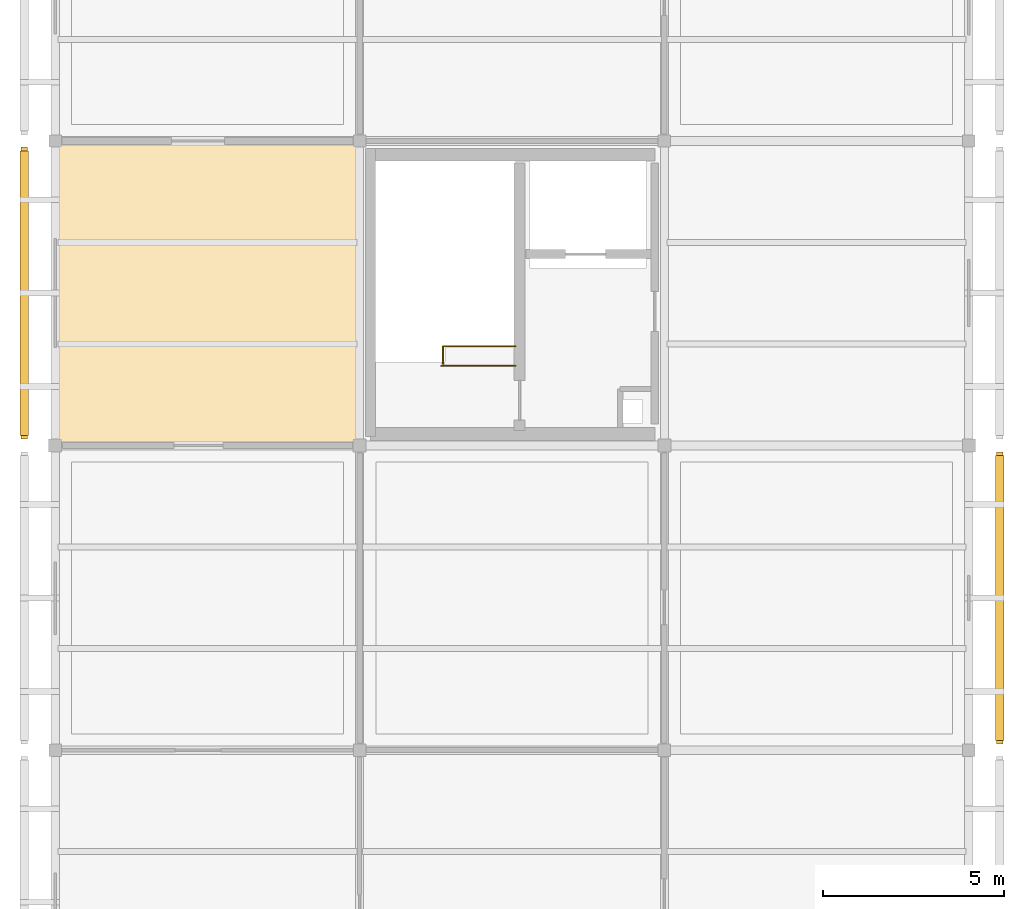
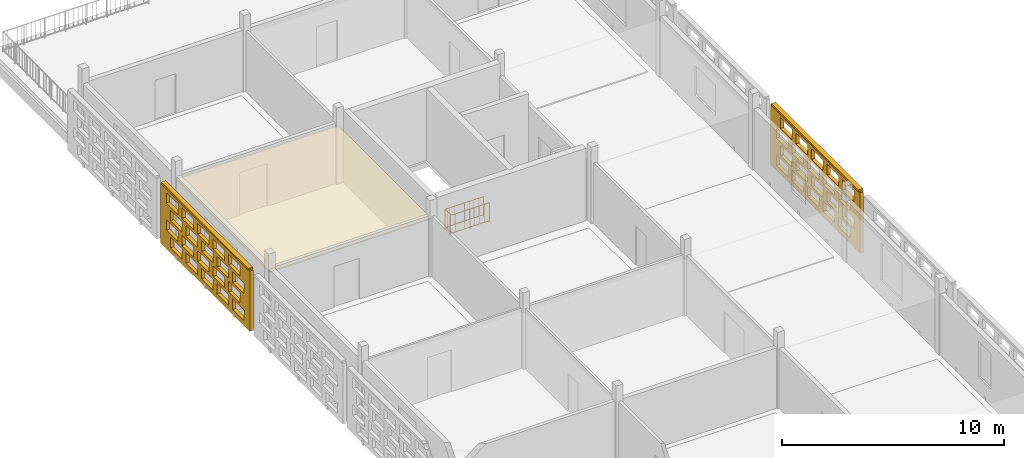
# One storey, part 10 of 13: 3 coverings, 2 railings, 2 shading devices, 40 openings.
"""IFC4 building model written with IfcOpenShell, lengths in metres."""

from ifc_helpers import new_model, si_unit, direction, frame, frame_2d, origin, origin_2d, place, context, subcontext, project, spatial, rectangle, circle, extrude, material, layer, layer_set, type_object, element, save


model = new_model("IFC4")

# Units and contexts
model_context = context("Model", 3, precision=1e-05, world=origin(), true_north=direction((0.0, 1.0)))
body_context = subcontext(model_context, "Body", "Model", "MODEL_VIEW")
ifc_project = project(units=[si_unit("LENGTHUNIT", "METRE"), si_unit("AREAUNIT", "SQUARE_METRE"), si_unit("VOLUMEUNIT", "CUBIC_METRE"), si_unit("PLANEANGLEUNIT", "RADIAN"), si_unit("MASSUNIT", "GRAM", prefix="KILO")], contexts=[model_context])

# Site, building, storey
site_placement = place(None, origin())
site = spatial("IfcSite", under=ifc_project, at=site_placement, CompositionType="ELEMENT")
building_placement = place(site_placement, origin())
building = spatial("IfcBuilding", under=site, at=building_placement, Name="Varnapada Polytechnic", CompositionType="ELEMENT")
storey_placement = place(building_placement, frame((0.0, 0.0, 26.39990234375)))
storey = spatial("IfcBuildingStorey", under=building, at=storey_placement, Name="L06", CompositionType="ELEMENT", Elevation=26.39990234375)

# Railings
ifc_material_1 = material(Name="Brushed Stainless Steel 316", Category="steel")
railing_type = type_object("IfcRailingType", Name="Stair Well Guard Rail SGR-01", PredefinedType="BALUSTRADE", material=ifc_material_1)
railing_1_placement = place(storey_placement, frame((12.699951171875, 103.0, 0.0)))
element("IfcRailing", 1, at=railing_1_placement, inside=storey, type_object=railing_type, Name="L06 ST-1 top well guard 1", PredefinedType="BALUSTRADE", context=body_context, shape_type="SweptSolid", body=[
    extrude(circle(Radius=0.02392578125, at=origin_2d()), frame((0.0, 0.0, 1.09619140625), z_axis=(-1.0, 0.0, 0.0), x_axis=(0.0, -1.0, 0.0)), (0.0, 0.0, 1.0), 2.050048828125),
    extrude(circle(Radius=0.02392578125, at=origin_2d()), frame((0.0, 0.0, 0.10009765625), z_axis=(-1.0, 0.0, 0.0), x_axis=(0.0, -1.0, 0.0)), (0.0, 0.0, 1.0), 2.050048828125),
    extrude(circle(Radius=0.02099609375, at=origin_2d()), origin(), (0.0, 0.0, 1.0), 1.072021484375),
    extrude(circle(Radius=0.02099609375, at=origin_2d()), frame((-1.02490234375, 0.0, 0.0)), (0.0, 0.0, 1.0), 1.072021484375),
    extrude(circle(Radius=0.02099609375, at=origin_2d()), frame((-2.050048828125, 0.0, 0.0)), (0.0, 0.0, 1.0), 1.072021484375),
    extrude(circle(Radius=0.010009765625, at=origin_2d()), frame((-0.25634765625, 0.0, 0.10009765625)), (0.0, 0.0, 1.0), 0.971923828125),
    extrude(circle(Radius=0.010009765625, at=origin_2d()), frame((-0.512451171875, 0.0, 0.10009765625)), (0.0, 0.0, 1.0), 0.971923828125),
    extrude(circle(Radius=0.010009765625, at=origin_2d()), frame((-0.768798828125, 0.0, 0.10009765625)), (0.0, 0.0, 1.0), 0.971923828125),
    extrude(circle(Radius=0.010009765625, at=origin_2d()), frame((-1.02490234375, 0.0, 0.10009765625)), (0.0, 0.0, 1.0), 0.971923828125),
    extrude(circle(Radius=0.010009765625, at=origin_2d()), frame((-1.28125, 0.0, 0.10009765625)), (0.0, 0.0, 1.0), 0.971923828125),
    extrude(circle(Radius=0.010009765625, at=origin_2d()), frame((-1.53759765625, 0.0, 0.10009765625)), (0.0, 0.0, 1.0), 0.971923828125),
    extrude(circle(Radius=0.010009765625, at=origin_2d()), frame((-1.793701171875, 0.0, 0.10009765625)), (0.0, 0.0, 1.0), 0.971923828125),
])
railing_2_placement = place(storey_placement, frame((10.699951171875, 103.050048828125, 0.0)))
element("IfcRailing", 2, at=railing_2_placement, inside=storey, type_object=railing_type, Name="L06 C1 top stair-well guard", PredefinedType="BALUSTRADE", context=body_context, shape_type="SweptSolid", body=[
    extrude(circle(Radius=0.02392578125, at=origin_2d()), frame((0.0, 0.0, 1.09619140625), z_axis=(0.0, 1.0, 0.0), x_axis=(-1.0, 0.0, 0.0)), (0.0, 0.0, 1.0), 0.489990234375),
    extrude(circle(Radius=0.02392578125, at=origin_2d()), frame((0.0, 0.0, 0.10009765625), z_axis=(0.0, 1.0, 0.0), x_axis=(-1.0, 0.0, 0.0)), (0.0, 0.0, 1.0), 0.489990234375),
    extrude(circle(Radius=0.02392578125, at=origin_2d()), frame((0.0, 0.489990234375, 1.09619140625), z_axis=(1.0, 0.0, 0.0), x_axis=(0.0, 1.0, 0.0)), (0.0, 0.0, 1.0), 2.0),
    extrude(circle(Radius=0.02392578125, at=origin_2d()), frame((0.0, 0.489990234375, 0.10009765625), z_axis=(1.0, 0.0, 0.0), x_axis=(0.0, 1.0, 0.0)), (0.0, 0.0, 1.0), 2.0),
    extrude(circle(Radius=0.02099609375, at=origin_2d()), origin(), (0.0, 0.0, 1.0), 1.072021484375),
    extrude(circle(Radius=0.02099609375, at=origin_2d()), frame((0.0, 0.489990234375, 0.0)), (0.0, 0.0, 1.0), 1.072021484375),
    extrude(circle(Radius=0.02099609375, at=origin_2d()), frame((1.0, 0.489990234375, 0.0)), (0.0, 0.0, 1.0), 1.072021484375),
    extrude(circle(Radius=0.02099609375, at=origin_2d()), frame((2.0, 0.489990234375, 0.0)), (0.0, 0.0, 1.0), 1.072021484375),
    extrude(circle(Radius=0.010009765625, at=origin_2d()), frame((0.0, 0.2451171875, 0.10009765625)), (0.0, 0.0, 1.0), 0.971923828125),
    extrude(circle(Radius=0.010009765625, at=origin_2d()), frame((0.25, 0.489990234375, 0.10009765625)), (0.0, 0.0, 1.0), 0.971923828125),
    extrude(circle(Radius=0.010009765625, at=origin_2d()), frame((0.5, 0.489990234375, 0.10009765625)), (0.0, 0.0, 1.0), 0.971923828125),
    extrude(circle(Radius=0.010009765625, at=origin_2d()), frame((0.75, 0.489990234375, 0.10009765625)), (0.0, 0.0, 1.0), 0.971923828125),
    extrude(circle(Radius=0.010009765625, at=origin_2d()), frame((1.0, 0.489990234375, 0.10009765625)), (0.0, 0.0, 1.0), 0.971923828125),
    extrude(circle(Radius=0.010009765625, at=origin_2d()), frame((1.25, 0.489990234375, 0.10009765625)), (0.0, 0.0, 1.0), 0.971923828125),
    extrude(circle(Radius=0.010009765625, at=origin_2d()), frame((1.5, 0.489990234375, 0.10009765625)), (0.0, 0.0, 1.0), 0.971923828125),
    extrude(circle(Radius=0.010009765625, at=origin_2d()), frame((1.75, 0.489990234375, 0.10009765625)), (0.0, 0.0, 1.0), 0.971923828125),
])

# Covering
ifc_material_2 = material(Name="Deep Acoustic Auditorium Cloud Baffle")
ifc_layer_1 = layer(ifc_material_2, 0.06494140625)
ifc_layer_set_1 = layer_set([ifc_layer_1], Name="Deep Acoustic Auditorium Cloud Baffle")
covering_type_1 = type_object("IfcCoveringType", Name="Suspended Ceiling CLG-07", PredefinedType="CEILING", material=ifc_layer_set_1)
covering_1_placement = place(storey_placement, frame((4.199951171875, 105.0, 3.017578125), z_axis=(0.0, 0.0, 1.0), x_axis=(1.0, 0.0, 0.0)))
element("IfcCovering", 3, at=covering_1_placement, inside=storey, type_object=covering_type_1, Name="L06 suspended acoustic ceiling (1,13)", PredefinedType="CEILING", context=body_context, shape_type="SweptSolid", body=[
    extrude(rectangle(XDim=8.419921875, YDim=8.419921875, at=origin_2d()), origin(), (0.0, 0.0, 1.0), 0.06494140625),
])

# Covering, openings
ifc_material_3 = material(Name="Earth-toned architectural terracotta screen block", Category="masonry")
ifc_layer_2 = layer(ifc_material_3, 0.1201171875)
ifc_layer_set_2 = layer_set([ifc_layer_2], Name="Earth-toned architectural terracotta screen block")
covering_type_2 = type_object("IfcCoveringType", Name="Terracotta Screen Cladding CLD-01", PredefinedType="CLADDING", material=ifc_layer_set_2)
covering_2_placement = place(storey_placement, frame((-0.85009765625, 100.97998046875, 0.0), z_axis=(0.0, 0.0, 1.0), x_axis=(0.0, 1.0, 0.0)))
covering_2 = element("IfcCovering", 4, at=covering_2_placement, inside=storey, type_object=covering_type_2, Name="L06 perforated terracotta block screen (7)", PredefinedType="CLADDING", context=body_context, shape_type="SweptSolid", body=[
    extrude(rectangle(XDim=8.050048828125, YDim=0.179931640625, at=frame_2d((4.02490234375, 0.0))), origin(), (0.0, 0.0, 1.0), 3.320068359375),
])
opening_1_placement = place(covering_2_placement, frame((0.52490234375, 0.0, 0.265625)))
element("IfcOpeningElement", 5, at=opening_1_placement, cuts=covering_2, Name="Screen perforation TBS-L06-006.1", PredefinedType="OPENING", context=body_context, shape_type="SweptSolid", body=[
    extrude(rectangle(XDim=1.0400390625, YDim=0.5810546875, at=frame_2d((0.52001953125, 0.29052734375))), frame((0.0, 0.099853515625, 0.0), z_axis=(0.0, -1.0, 0.0), x_axis=(1.0, 0.0, 0.0)), (0.0, 0.0, 1.0), 0.199951171875),
])
opening_2_placement = place(covering_2_placement, frame((1.925048828125, 0.0, 0.265625)))
element("IfcOpeningElement", 6, at=opening_2_placement, cuts=covering_2, Name="Screen perforation TBS-L06-006.2", PredefinedType="OPENING", context=body_context, shape_type="SweptSolid", body=[
    extrude(rectangle(XDim=1.0400390625, YDim=0.5810546875, at=frame_2d((0.52001953125, 0.29052734375))), frame((0.0, 0.099853515625, 0.0), z_axis=(0.0, -1.0, 0.0), x_axis=(1.0, 0.0, 0.0)), (0.0, 0.0, 1.0), 0.199951171875),
])
opening_3_placement = place(covering_2_placement, frame((3.324951171875, 0.0, 0.265625)))
element("IfcOpeningElement", 7, at=opening_3_placement, cuts=covering_2, Name="Screen perforation TBS-L06-006.3", PredefinedType="OPENING", context=body_context, shape_type="SweptSolid", body=[
    extrude(rectangle(XDim=1.0400390625, YDim=0.5810546875, at=frame_2d((0.52001953125, 0.29052734375))), frame((0.0, 0.099853515625, 0.0), z_axis=(0.0, -1.0, 0.0), x_axis=(1.0, 0.0, 0.0)), (0.0, 0.0, 1.0), 0.199951171875),
])
opening_4_placement = place(covering_2_placement, frame((4.72509765625, 0.0, 0.265625)))
element("IfcOpeningElement", 8, at=opening_4_placement, cuts=covering_2, Name="Screen perforation TBS-L06-006.4", PredefinedType="OPENING", context=body_context, shape_type="SweptSolid", body=[
    extrude(rectangle(XDim=1.0400390625, YDim=0.5810546875, at=frame_2d((0.52001953125, 0.29052734375))), frame((0.0, 0.099853515625, 0.0), z_axis=(0.0, -1.0, 0.0), x_axis=(1.0, 0.0, 0.0)), (0.0, 0.0, 1.0), 0.199951171875),
])
opening_5_placement = place(covering_2_placement, frame((6.125, 0.0, 0.265625)))
element("IfcOpeningElement", 9, at=opening_5_placement, cuts=covering_2, Name="Screen perforation TBS-L06-006.5", PredefinedType="OPENING", context=body_context, shape_type="SweptSolid", body=[
    extrude(rectangle(XDim=1.0400390625, YDim=0.5810546875, at=frame_2d((0.52001953125, 0.29052734375))), frame((0.0, 0.099853515625, 0.0), z_axis=(0.0, -1.0, 0.0), x_axis=(1.0, 0.0, 0.0)), (0.0, 0.0, 1.0), 0.199951171875),
])
opening_6_placement = place(covering_2_placement, frame((0.885009765625, 0.0, 1.0126953125)))
element("IfcOpeningElement", 10, at=opening_6_placement, cuts=covering_2, Name="Screen perforation TBS-L06-006.6", PredefinedType="OPENING", context=body_context, shape_type="SweptSolid", body=[
    extrude(rectangle(XDim=1.0400390625, YDim=0.5810546875, at=frame_2d((0.52001953125, 0.29052734375))), frame((0.0, 0.099853515625, 0.0), z_axis=(0.0, -1.0, 0.0), x_axis=(1.0, 0.0, 0.0)), (0.0, 0.0, 1.0), 0.199951171875),
])
opening_7_placement = place(covering_2_placement, frame((2.284912109375, 0.0, 1.0126953125)))
element("IfcOpeningElement", 11, at=opening_7_placement, cuts=covering_2, Name="Screen perforation TBS-L06-006.7", PredefinedType="OPENING", context=body_context, shape_type="SweptSolid", body=[
    extrude(rectangle(XDim=1.0400390625, YDim=0.5810546875, at=frame_2d((0.52001953125, 0.29052734375))), frame((0.0, 0.099853515625, 0.0), z_axis=(0.0, -1.0, 0.0), x_axis=(1.0, 0.0, 0.0)), (0.0, 0.0, 1.0), 0.199951171875),
])
opening_8_placement = place(covering_2_placement, frame((3.68505859375, 0.0, 1.0126953125)))
element("IfcOpeningElement", 12, at=opening_8_placement, cuts=covering_2, Name="Screen perforation TBS-L06-006.8", PredefinedType="OPENING", context=body_context, shape_type="SweptSolid", body=[
    extrude(rectangle(XDim=1.0400390625, YDim=0.5810546875, at=frame_2d((0.52001953125, 0.29052734375))), frame((0.0, 0.099853515625, 0.0), z_axis=(0.0, -1.0, 0.0), x_axis=(1.0, 0.0, 0.0)), (0.0, 0.0, 1.0), 0.199951171875),
])
opening_9_placement = place(covering_2_placement, frame((5.0849609375, 0.0, 1.0126953125)))
element("IfcOpeningElement", 13, at=opening_9_placement, cuts=covering_2, Name="Screen perforation TBS-L06-006.9", PredefinedType="OPENING", context=body_context, shape_type="SweptSolid", body=[
    extrude(rectangle(XDim=1.0400390625, YDim=0.5810546875, at=frame_2d((0.52001953125, 0.29052734375))), frame((0.0, 0.099853515625, 0.0), z_axis=(0.0, -1.0, 0.0), x_axis=(1.0, 0.0, 0.0)), (0.0, 0.0, 1.0), 0.199951171875),
])
opening_10_placement = place(covering_2_placement, frame((6.485107421875, 0.0, 1.0126953125)))
element("IfcOpeningElement", 14, at=opening_10_placement, cuts=covering_2, Name="Screen perforation TBS-L06-006.10", PredefinedType="OPENING", context=body_context, shape_type="SweptSolid", body=[
    extrude(rectangle(XDim=1.0400390625, YDim=0.5810546875, at=frame_2d((0.52001953125, 0.29052734375))), frame((0.0, 0.099853515625, 0.0), z_axis=(0.0, -1.0, 0.0), x_axis=(1.0, 0.0, 0.0)), (0.0, 0.0, 1.0), 0.199951171875),
])
opening_11_placement = place(covering_2_placement, frame((0.52490234375, 0.0, 1.759521484375)))
element("IfcOpeningElement", 15, at=opening_11_placement, cuts=covering_2, Name="Screen perforation TBS-L06-006.11", PredefinedType="OPENING", context=body_context, shape_type="SweptSolid", body=[
    extrude(rectangle(XDim=1.0400390625, YDim=0.5810546875, at=frame_2d((0.52001953125, 0.29052734375))), frame((0.0, 0.099853515625, 0.0), z_axis=(0.0, -1.0, 0.0), x_axis=(1.0, 0.0, 0.0)), (0.0, 0.0, 1.0), 0.199951171875),
])
opening_12_placement = place(covering_2_placement, frame((1.925048828125, 0.0, 1.759521484375)))
element("IfcOpeningElement", 16, at=opening_12_placement, cuts=covering_2, Name="Screen perforation TBS-L06-006.12", PredefinedType="OPENING", context=body_context, shape_type="SweptSolid", body=[
    extrude(rectangle(XDim=1.0400390625, YDim=0.5810546875, at=frame_2d((0.52001953125, 0.29052734375))), frame((0.0, 0.099853515625, 0.0), z_axis=(0.0, -1.0, 0.0), x_axis=(1.0, 0.0, 0.0)), (0.0, 0.0, 1.0), 0.199951171875),
])
opening_13_placement = place(covering_2_placement, frame((3.324951171875, 0.0, 1.759521484375)))
element("IfcOpeningElement", 17, at=opening_13_placement, cuts=covering_2, Name="Screen perforation TBS-L06-006.13", PredefinedType="OPENING", context=body_context, shape_type="SweptSolid", body=[
    extrude(rectangle(XDim=1.0400390625, YDim=0.5810546875, at=frame_2d((0.52001953125, 0.29052734375))), frame((0.0, 0.099853515625, 0.0), z_axis=(0.0, -1.0, 0.0), x_axis=(1.0, 0.0, 0.0)), (0.0, 0.0, 1.0), 0.199951171875),
])
opening_14_placement = place(covering_2_placement, frame((4.72509765625, 0.0, 1.759521484375)))
element("IfcOpeningElement", 18, at=opening_14_placement, cuts=covering_2, Name="Screen perforation TBS-L06-006.14", PredefinedType="OPENING", context=body_context, shape_type="SweptSolid", body=[
    extrude(rectangle(XDim=1.0400390625, YDim=0.5810546875, at=frame_2d((0.52001953125, 0.29052734375))), frame((0.0, 0.099853515625, 0.0), z_axis=(0.0, -1.0, 0.0), x_axis=(1.0, 0.0, 0.0)), (0.0, 0.0, 1.0), 0.199951171875),
])
opening_15_placement = place(covering_2_placement, frame((6.125, 0.0, 1.759521484375)))
element("IfcOpeningElement", 19, at=opening_15_placement, cuts=covering_2, Name="Screen perforation TBS-L06-006.15", PredefinedType="OPENING", context=body_context, shape_type="SweptSolid", body=[
    extrude(rectangle(XDim=1.0400390625, YDim=0.5810546875, at=frame_2d((0.52001953125, 0.29052734375))), frame((0.0, 0.099853515625, 0.0), z_axis=(0.0, -1.0, 0.0), x_axis=(1.0, 0.0, 0.0)), (0.0, 0.0, 1.0), 0.199951171875),
])
opening_16_placement = place(covering_2_placement, frame((0.885009765625, 0.0, 2.506591796875)))
element("IfcOpeningElement", 20, at=opening_16_placement, cuts=covering_2, Name="Screen perforation TBS-L06-006.16", PredefinedType="OPENING", context=body_context, shape_type="SweptSolid", body=[
    extrude(rectangle(XDim=1.0400390625, YDim=0.5810546875, at=frame_2d((0.52001953125, 0.29052734375))), frame((0.0, 0.099853515625, 0.0), z_axis=(0.0, -1.0, 0.0), x_axis=(1.0, 0.0, 0.0)), (0.0, 0.0, 1.0), 0.199951171875),
])
opening_17_placement = place(covering_2_placement, frame((2.284912109375, 0.0, 2.506591796875)))
element("IfcOpeningElement", 21, at=opening_17_placement, cuts=covering_2, Name="Screen perforation TBS-L06-006.17", PredefinedType="OPENING", context=body_context, shape_type="SweptSolid", body=[
    extrude(rectangle(XDim=1.0400390625, YDim=0.5810546875, at=frame_2d((0.52001953125, 0.29052734375))), frame((0.0, 0.099853515625, 0.0), z_axis=(0.0, -1.0, 0.0), x_axis=(1.0, 0.0, 0.0)), (0.0, 0.0, 1.0), 0.199951171875),
])
opening_18_placement = place(covering_2_placement, frame((3.68505859375, 0.0, 2.506591796875)))
element("IfcOpeningElement", 22, at=opening_18_placement, cuts=covering_2, Name="Screen perforation TBS-L06-006.18", PredefinedType="OPENING", context=body_context, shape_type="SweptSolid", body=[
    extrude(rectangle(XDim=1.0400390625, YDim=0.5810546875, at=frame_2d((0.52001953125, 0.29052734375))), frame((0.0, 0.099853515625, 0.0), z_axis=(0.0, -1.0, 0.0), x_axis=(1.0, 0.0, 0.0)), (0.0, 0.0, 1.0), 0.199951171875),
])
opening_19_placement = place(covering_2_placement, frame((5.0849609375, 0.0, 2.506591796875)))
element("IfcOpeningElement", 23, at=opening_19_placement, cuts=covering_2, Name="Screen perforation TBS-L06-006.19", PredefinedType="OPENING", context=body_context, shape_type="SweptSolid", body=[
    extrude(rectangle(XDim=1.0400390625, YDim=0.5810546875, at=frame_2d((0.52001953125, 0.29052734375))), frame((0.0, 0.099853515625, 0.0), z_axis=(0.0, -1.0, 0.0), x_axis=(1.0, 0.0, 0.0)), (0.0, 0.0, 1.0), 0.199951171875),
])
opening_20_placement = place(covering_2_placement, frame((6.485107421875, 0.0, 2.506591796875)))
element("IfcOpeningElement", 24, at=opening_20_placement, cuts=covering_2, Name="Screen perforation TBS-L06-006.20", PredefinedType="OPENING", context=body_context, shape_type="SweptSolid", body=[
    extrude(rectangle(XDim=1.0400390625, YDim=0.5810546875, at=frame_2d((0.52001953125, 0.29052734375))), frame((0.0, 0.099853515625, 0.0), z_axis=(0.0, -1.0, 0.0), x_axis=(1.0, 0.0, 0.0)), (0.0, 0.0, 1.0), 0.199951171875),
])

covering_3_placement = place(storey_placement, frame((26.050048828125, 100.6201171875, 0.0), z_axis=(0.0, 0.0, 1.0), x_axis=(0.0, -1.0, 0.0)))
covering_3 = element("IfcCovering", 25, at=covering_3_placement, inside=storey, type_object=covering_type_2, Name="L06 perforated terracotta block screen (17)", PredefinedType="CLADDING", context=body_context, shape_type="SweptSolid", body=[
    extrude(rectangle(XDim=8.050048828125, YDim=0.179931640625, at=frame_2d((4.02490234375, 0.0))), origin(), (0.0, 0.0, 1.0), 3.320068359375),
])
opening_21_placement = place(covering_3_placement, frame((0.52490234375, 0.0, 0.265625)))
element("IfcOpeningElement", 26, at=opening_21_placement, cuts=covering_3, Name="Screen perforation TBS-L06-016.1", PredefinedType="OPENING", context=body_context, shape_type="SweptSolid", body=[
    extrude(rectangle(XDim=1.0400390625, YDim=0.5810546875, at=frame_2d((0.52001953125, 0.29052734375))), frame((0.0, 0.099853515625, 0.0), z_axis=(0.0, -1.0, 0.0), x_axis=(1.0, 0.0, 0.0)), (0.0, 0.0, 1.0), 0.199951171875),
])
opening_22_placement = place(covering_3_placement, frame((1.925048828125, 0.0, 0.265625)))
element("IfcOpeningElement", 27, at=opening_22_placement, cuts=covering_3, Name="Screen perforation TBS-L06-016.2", PredefinedType="OPENING", context=body_context, shape_type="SweptSolid", body=[
    extrude(rectangle(XDim=1.0400390625, YDim=0.5810546875, at=frame_2d((0.52001953125, 0.29052734375))), frame((0.0, 0.099853515625, 0.0), z_axis=(0.0, -1.0, 0.0), x_axis=(1.0, 0.0, 0.0)), (0.0, 0.0, 1.0), 0.199951171875),
])
opening_23_placement = place(covering_3_placement, frame((3.324951171875, 0.0, 0.265625)))
element("IfcOpeningElement", 28, at=opening_23_placement, cuts=covering_3, Name="Screen perforation TBS-L06-016.3", PredefinedType="OPENING", context=body_context, shape_type="SweptSolid", body=[
    extrude(rectangle(XDim=1.0400390625, YDim=0.5810546875, at=frame_2d((0.52001953125, 0.29052734375))), frame((0.0, 0.099853515625, 0.0), z_axis=(0.0, -1.0, 0.0), x_axis=(1.0, 0.0, 0.0)), (0.0, 0.0, 1.0), 0.199951171875),
])
opening_24_placement = place(covering_3_placement, frame((4.72509765625, 0.0, 0.265625)))
element("IfcOpeningElement", 29, at=opening_24_placement, cuts=covering_3, Name="Screen perforation TBS-L06-016.4", PredefinedType="OPENING", context=body_context, shape_type="SweptSolid", body=[
    extrude(rectangle(XDim=1.0400390625, YDim=0.5810546875, at=frame_2d((0.52001953125, 0.29052734375))), frame((0.0, 0.099853515625, 0.0), z_axis=(0.0, -1.0, 0.0), x_axis=(1.0, 0.0, 0.0)), (0.0, 0.0, 1.0), 0.199951171875),
])
opening_25_placement = place(covering_3_placement, frame((6.125, 0.0, 0.265625)))
element("IfcOpeningElement", 30, at=opening_25_placement, cuts=covering_3, Name="Screen perforation TBS-L06-016.5", PredefinedType="OPENING", context=body_context, shape_type="SweptSolid", body=[
    extrude(rectangle(XDim=1.0400390625, YDim=0.5810546875, at=frame_2d((0.52001953125, 0.29052734375))), frame((0.0, 0.099853515625, 0.0), z_axis=(0.0, -1.0, 0.0), x_axis=(1.0, 0.0, 0.0)), (0.0, 0.0, 1.0), 0.199951171875),
])
opening_26_placement = place(covering_3_placement, frame((0.885009765625, 0.0, 1.0126953125)))
element("IfcOpeningElement", 31, at=opening_26_placement, cuts=covering_3, Name="Screen perforation TBS-L06-016.6", PredefinedType="OPENING", context=body_context, shape_type="SweptSolid", body=[
    extrude(rectangle(XDim=1.0400390625, YDim=0.5810546875, at=frame_2d((0.52001953125, 0.29052734375))), frame((0.0, 0.099853515625, 0.0), z_axis=(0.0, -1.0, 0.0), x_axis=(1.0, 0.0, 0.0)), (0.0, 0.0, 1.0), 0.199951171875),
])
opening_27_placement = place(covering_3_placement, frame((2.284912109375, 0.0, 1.0126953125)))
element("IfcOpeningElement", 32, at=opening_27_placement, cuts=covering_3, Name="Screen perforation TBS-L06-016.7", PredefinedType="OPENING", context=body_context, shape_type="SweptSolid", body=[
    extrude(rectangle(XDim=1.0400390625, YDim=0.5810546875, at=frame_2d((0.52001953125, 0.29052734375))), frame((0.0, 0.099853515625, 0.0), z_axis=(0.0, -1.0, 0.0), x_axis=(1.0, 0.0, 0.0)), (0.0, 0.0, 1.0), 0.199951171875),
])
opening_28_placement = place(covering_3_placement, frame((3.68505859375, 0.0, 1.0126953125)))
element("IfcOpeningElement", 33, at=opening_28_placement, cuts=covering_3, Name="Screen perforation TBS-L06-016.8", PredefinedType="OPENING", context=body_context, shape_type="SweptSolid", body=[
    extrude(rectangle(XDim=1.0400390625, YDim=0.5810546875, at=frame_2d((0.52001953125, 0.29052734375))), frame((0.0, 0.099853515625, 0.0), z_axis=(0.0, -1.0, 0.0), x_axis=(1.0, 0.0, 0.0)), (0.0, 0.0, 1.0), 0.199951171875),
])
opening_29_placement = place(covering_3_placement, frame((5.0849609375, 0.0, 1.0126953125)))
element("IfcOpeningElement", 34, at=opening_29_placement, cuts=covering_3, Name="Screen perforation TBS-L06-016.9", PredefinedType="OPENING", context=body_context, shape_type="SweptSolid", body=[
    extrude(rectangle(XDim=1.0400390625, YDim=0.5810546875, at=frame_2d((0.52001953125, 0.29052734375))), frame((0.0, 0.099853515625, 0.0), z_axis=(0.0, -1.0, 0.0), x_axis=(1.0, 0.0, 0.0)), (0.0, 0.0, 1.0), 0.199951171875),
])
opening_30_placement = place(covering_3_placement, frame((6.485107421875, 0.0, 1.0126953125)))
element("IfcOpeningElement", 35, at=opening_30_placement, cuts=covering_3, Name="Screen perforation TBS-L06-016.10", PredefinedType="OPENING", context=body_context, shape_type="SweptSolid", body=[
    extrude(rectangle(XDim=1.0400390625, YDim=0.5810546875, at=frame_2d((0.52001953125, 0.29052734375))), frame((0.0, 0.099853515625, 0.0), z_axis=(0.0, -1.0, 0.0), x_axis=(1.0, 0.0, 0.0)), (0.0, 0.0, 1.0), 0.199951171875),
])
opening_31_placement = place(covering_3_placement, frame((0.52490234375, 0.0, 1.759521484375)))
element("IfcOpeningElement", 36, at=opening_31_placement, cuts=covering_3, Name="Screen perforation TBS-L06-016.11", PredefinedType="OPENING", context=body_context, shape_type="SweptSolid", body=[
    extrude(rectangle(XDim=1.0400390625, YDim=0.5810546875, at=frame_2d((0.52001953125, 0.29052734375))), frame((0.0, 0.099853515625, 0.0), z_axis=(0.0, -1.0, 0.0), x_axis=(1.0, 0.0, 0.0)), (0.0, 0.0, 1.0), 0.199951171875),
])
opening_32_placement = place(covering_3_placement, frame((1.925048828125, 0.0, 1.759521484375)))
element("IfcOpeningElement", 37, at=opening_32_placement, cuts=covering_3, Name="Screen perforation TBS-L06-016.12", PredefinedType="OPENING", context=body_context, shape_type="SweptSolid", body=[
    extrude(rectangle(XDim=1.0400390625, YDim=0.5810546875, at=frame_2d((0.52001953125, 0.29052734375))), frame((0.0, 0.099853515625, 0.0), z_axis=(0.0, -1.0, 0.0), x_axis=(1.0, 0.0, 0.0)), (0.0, 0.0, 1.0), 0.199951171875),
])
opening_33_placement = place(covering_3_placement, frame((3.324951171875, 0.0, 1.759521484375)))
element("IfcOpeningElement", 38, at=opening_33_placement, cuts=covering_3, Name="Screen perforation TBS-L06-016.13", PredefinedType="OPENING", context=body_context, shape_type="SweptSolid", body=[
    extrude(rectangle(XDim=1.0400390625, YDim=0.5810546875, at=frame_2d((0.52001953125, 0.29052734375))), frame((0.0, 0.099853515625, 0.0), z_axis=(0.0, -1.0, 0.0), x_axis=(1.0, 0.0, 0.0)), (0.0, 0.0, 1.0), 0.199951171875),
])
opening_34_placement = place(covering_3_placement, frame((4.72509765625, 0.0, 1.759521484375)))
element("IfcOpeningElement", 39, at=opening_34_placement, cuts=covering_3, Name="Screen perforation TBS-L06-016.14", PredefinedType="OPENING", context=body_context, shape_type="SweptSolid", body=[
    extrude(rectangle(XDim=1.0400390625, YDim=0.5810546875, at=frame_2d((0.52001953125, 0.29052734375))), frame((0.0, 0.099853515625, 0.0), z_axis=(0.0, -1.0, 0.0), x_axis=(1.0, 0.0, 0.0)), (0.0, 0.0, 1.0), 0.199951171875),
])
opening_35_placement = place(covering_3_placement, frame((6.125, 0.0, 1.759521484375)))
element("IfcOpeningElement", 40, at=opening_35_placement, cuts=covering_3, Name="Screen perforation TBS-L06-016.15", PredefinedType="OPENING", context=body_context, shape_type="SweptSolid", body=[
    extrude(rectangle(XDim=1.0400390625, YDim=0.5810546875, at=frame_2d((0.52001953125, 0.29052734375))), frame((0.0, 0.099853515625, 0.0), z_axis=(0.0, -1.0, 0.0), x_axis=(1.0, 0.0, 0.0)), (0.0, 0.0, 1.0), 0.199951171875),
])
opening_36_placement = place(covering_3_placement, frame((0.885009765625, 0.0, 2.506591796875)))
element("IfcOpeningElement", 41, at=opening_36_placement, cuts=covering_3, Name="Screen perforation TBS-L06-016.16", PredefinedType="OPENING", context=body_context, shape_type="SweptSolid", body=[
    extrude(rectangle(XDim=1.0400390625, YDim=0.5810546875, at=frame_2d((0.52001953125, 0.29052734375))), frame((0.0, 0.099853515625, 0.0), z_axis=(0.0, -1.0, 0.0), x_axis=(1.0, 0.0, 0.0)), (0.0, 0.0, 1.0), 0.199951171875),
])
opening_37_placement = place(covering_3_placement, frame((2.284912109375, 0.0, 2.506591796875)))
element("IfcOpeningElement", 42, at=opening_37_placement, cuts=covering_3, Name="Screen perforation TBS-L06-016.17", PredefinedType="OPENING", context=body_context, shape_type="SweptSolid", body=[
    extrude(rectangle(XDim=1.0400390625, YDim=0.5810546875, at=frame_2d((0.52001953125, 0.29052734375))), frame((0.0, 0.099853515625, 0.0), z_axis=(0.0, -1.0, 0.0), x_axis=(1.0, 0.0, 0.0)), (0.0, 0.0, 1.0), 0.199951171875),
])
opening_38_placement = place(covering_3_placement, frame((3.68505859375, 0.0, 2.506591796875)))
element("IfcOpeningElement", 43, at=opening_38_placement, cuts=covering_3, Name="Screen perforation TBS-L06-016.18", PredefinedType="OPENING", context=body_context, shape_type="SweptSolid", body=[
    extrude(rectangle(XDim=1.0400390625, YDim=0.5810546875, at=frame_2d((0.52001953125, 0.29052734375))), frame((0.0, 0.099853515625, 0.0), z_axis=(0.0, -1.0, 0.0), x_axis=(1.0, 0.0, 0.0)), (0.0, 0.0, 1.0), 0.199951171875),
])
opening_39_placement = place(covering_3_placement, frame((5.0849609375, 0.0, 2.506591796875)))
element("IfcOpeningElement", 44, at=opening_39_placement, cuts=covering_3, Name="Screen perforation TBS-L06-016.19", PredefinedType="OPENING", context=body_context, shape_type="SweptSolid", body=[
    extrude(rectangle(XDim=1.0400390625, YDim=0.5810546875, at=frame_2d((0.52001953125, 0.29052734375))), frame((0.0, 0.099853515625, 0.0), z_axis=(0.0, -1.0, 0.0), x_axis=(1.0, 0.0, 0.0)), (0.0, 0.0, 1.0), 0.199951171875),
])
opening_40_placement = place(covering_3_placement, frame((6.485107421875, 0.0, 2.506591796875)))
element("IfcOpeningElement", 45, at=opening_40_placement, cuts=covering_3, Name="Screen perforation TBS-L06-016.20", PredefinedType="OPENING", context=body_context, shape_type="SweptSolid", body=[
    extrude(rectangle(XDim=1.0400390625, YDim=0.5810546875, at=frame_2d((0.52001953125, 0.29052734375))), frame((0.0, 0.099853515625, 0.0), z_axis=(0.0, -1.0, 0.0), x_axis=(1.0, 0.0, 0.0)), (0.0, 0.0, 1.0), 0.199951171875),
])

# Shading devices
ifc_layer_3 = layer(ifc_material_3, 0.179931640625)
ifc_layer_set_3 = layer_set([ifc_layer_3], Name="Earth-toned architectural terracotta screen block")
shading_device_type = type_object("IfcShadingDeviceType", Name="Terracotta Screen SCR-01", PredefinedType="USERDEFINED", material=ifc_layer_set_3)
for number, where, z_axis, x_axis, name in (
    (46, (-0.85009765625, 105.0048828125, 3.31005859375), (0.0, 0.0, 1.0), (0.0, 1.0, 0.0), "L06 perforated terracotta screen hood 498"),
    (47, (26.050048828125, 96.594970703125, 3.31005859375), (0.0, 0.0, 1.0), (0.0, -1.0, 0.0), "L06 perforated terracotta screen hood 504"),
):
    element("IfcShadingDevice", number, at=place(storey_placement, frame(where, z_axis=z_axis, x_axis=x_axis)), inside=storey, type_object=shading_device_type, Name=name, ObjectType="SCREEN", PredefinedType="USERDEFINED", context=body_context, shape_type="SweptSolid", body=[
        extrude(rectangle(XDim=7.85009765625, YDim=0.239990234375, at=origin_2d()), origin(), (0.0, 0.0, 1.0), 0.10009765625),
    ])

save(model, "model.ifc")
